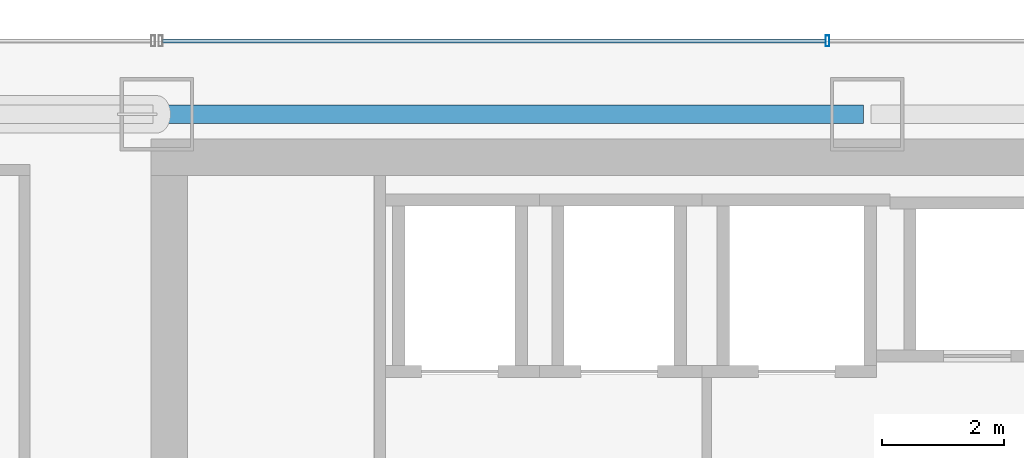
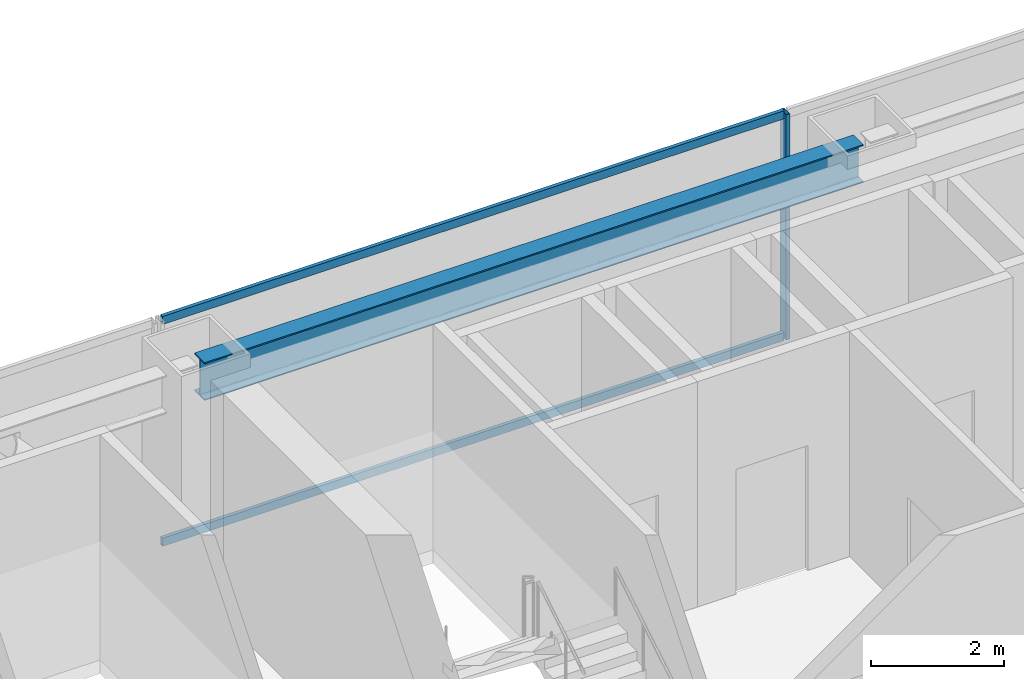
# One storey, part 27 of 47: 3 members, 1 beam, 1 element without a shape of its own.
"""IFC4 building model written with IfcOpenShell, lengths in metres."""

from ifc_helpers import new_model, si_unit, direction, frame, origin, origin_2d, place, context, subcontext, project, spatial, hollow_rectangle, i_section, extrude, material, material_profile, profile_set, type_object, element, aggregate, save


model = new_model("IFC4")

# Units and contexts
model_context = context("Model", 3, precision=1e-05, world=origin(), true_north=direction((0.0, 1.0)))
body_context = subcontext(model_context, "Body", "Model", "MODEL_VIEW")
ifc_project = project(units=[si_unit("LENGTHUNIT", "METRE"), si_unit("AREAUNIT", "SQUARE_METRE"), si_unit("VOLUMEUNIT", "CUBIC_METRE"), si_unit("PLANEANGLEUNIT", "RADIAN"), si_unit("MASSUNIT", "GRAM", prefix="KILO")], contexts=[model_context])

# Site, building, storey
site_placement = place(None, origin())
site = spatial("IfcSite", under=ifc_project, at=site_placement, CompositionType="ELEMENT")
building_placement = place(site_placement, origin())
building = spatial("IfcBuilding", under=site, at=building_placement, Name="Saevonmaru Cultural Tower", CompositionType="ELEMENT")
storey_placement = place(building_placement, frame((0.0, 0.0, 78.0)))
storey = spatial("IfcBuildingStorey", under=building, at=storey_placement, Name="L16", CompositionType="ELEMENT", Elevation=78.0)

# Beam
ifc_material_1 = material(Name="Steel SM355", Category="steel")
ifc_material_profile_1 = material_profile(ifc_material_1, i_section(OverallWidth=0.300048828125, OverallDepth=0.699951171875, WebThickness=0.012939453125, FlangeThickness=0.02392578125, FilletRadius=0.02587890625, at=origin_2d()), Name="H-700x300x13x24")
ifc_profile_set_1 = profile_set([ifc_material_profile_1], Name="Steel SM355")
beam_type = type_object("IfcBeamType", Name="BM-SP-H700", PredefinedType="SPANDREL", material=ifc_profile_set_1)
beam_placement = place(storey_placement, frame((13.659912109375, 54.800048828125, 3.800048828125), z_axis=(1.0, 0.0, 0.0), x_axis=(0.0, 1.0, 0.0)))
element("IfcBeam", 1, at=beam_placement, inside=storey, type_object=beam_type, Name="L16 North Spine Girder 2", PredefinedType="SPANDREL", context=body_context, shape_type="SweptSolid", body=[
    extrude(i_section(OverallWidth=0.300048828125, OverallDepth=0.699951171875, WebThickness=0.012939453125, FlangeThickness=0.02392578125, FilletRadius=0.02587890625, at=origin_2d()), origin(), (0.0, 0.0, 1.0), 11.47998046875),
])

# Curtain wall, members
ifc_material_2 = material(Name="Satin Bronze Anodised Aluminium", Category="aluminium")
curtain_wall_type = type_object("IfcCurtainWallType", Name="CW-TYP-A", PredefinedType="NOTDEFINED", material=ifc_material_2)
curtain_wall_placement = place(storey_placement, origin())
curtain_wall = element("IfcCurtainWall", 2, at=curtain_wall_placement, inside=storey, type_object=curtain_wall_type, Name="L16 North Spine Unitised Curtain Wall E10B", PredefinedType="NOTDEFINED")
ifc_material_profile_2 = material_profile(ifc_material_2, hollow_rectangle(XDim=0.06494140625, YDim=0.179931640625, WallThickness=0.00390625, at=origin_2d()), Name="ALU-MULL-180x65x4")
ifc_profile_set_2 = profile_set([ifc_material_profile_2], Name="Satin Bronze Anodised Aluminium")
member_type_1 = type_object("IfcMemberType", Name="ML-CW-180x65", PredefinedType="MULLION", material=ifc_profile_set_2)
member_1_placement = place(storey_placement, frame((24.55322265625, 56.0, 0.0), z_axis=(0.0, 0.0, 1.0), x_axis=(-1.0, 0.0, 0.0)))
member_1 = element("IfcMember", 3, at=member_1_placement, type_object=member_type_1, Name="CW-TW-L16-E10B mullion 3", PredefinedType="MULLION", context=body_context, shape_type="SweptSolid", body=[
    extrude(hollow_rectangle(XDim=0.06494140625, YDim=0.179931640625, WallThickness=0.00390625, at=origin_2d()), origin(), (0.0, 0.0, 1.0), 4.14990234375),
])
ifc_material_profile_3 = material_profile(ifc_material_2, hollow_rectangle(XDim=0.06494140625, YDim=0.14990234375, WallThickness=0.00390625, at=origin_2d()), Name="ALU-TRAN-150x65x4")
ifc_profile_set_3 = profile_set([ifc_material_profile_3], Name="Satin Bronze Anodised Aluminium")
member_type_2 = type_object("IfcMemberType", Name="TR-CW-150x65", PredefinedType="USERDEFINED", material=ifc_profile_set_3)
member_2_placement = place(storey_placement, frame((24.520751953125, 56.0, 0.032470703125), z_axis=(-1.0, 0.0, 0.0), x_axis=(0.0, -1.0, 0.0)))
member_2 = element("IfcMember", 4, at=member_2_placement, type_object=member_type_2, Name="CW-TW-L16-E10B transom 3.1", ObjectType="TRANSOM", PredefinedType="USERDEFINED", context=body_context, shape_type="SweptSolid", body=[
    extrude(hollow_rectangle(XDim=0.06494140625, YDim=0.14990234375, WallThickness=0.00390625, at=origin_2d()), origin(), (0.0, 0.0, 1.0), 10.828369140625),
])
member_3_placement = place(storey_placement, frame((24.520751953125, 56.0, 4.117431640625), z_axis=(-1.0, 0.0, 0.0), x_axis=(0.0, -1.0, 0.0)))
member_3 = element("IfcMember", 5, at=member_3_placement, type_object=member_type_2, Name="CW-TW-L16-E10B transom 3.2", ObjectType="TRANSOM", PredefinedType="USERDEFINED", context=body_context, shape_type="SweptSolid", body=[
    extrude(hollow_rectangle(XDim=0.06494140625, YDim=0.14990234375, WallThickness=0.00390625, at=origin_2d()), origin(), (0.0, 0.0, 1.0), 10.828369140625),
])
aggregate(curtain_wall, [member_1, member_2, member_3])

save(model, "model.ifc")
